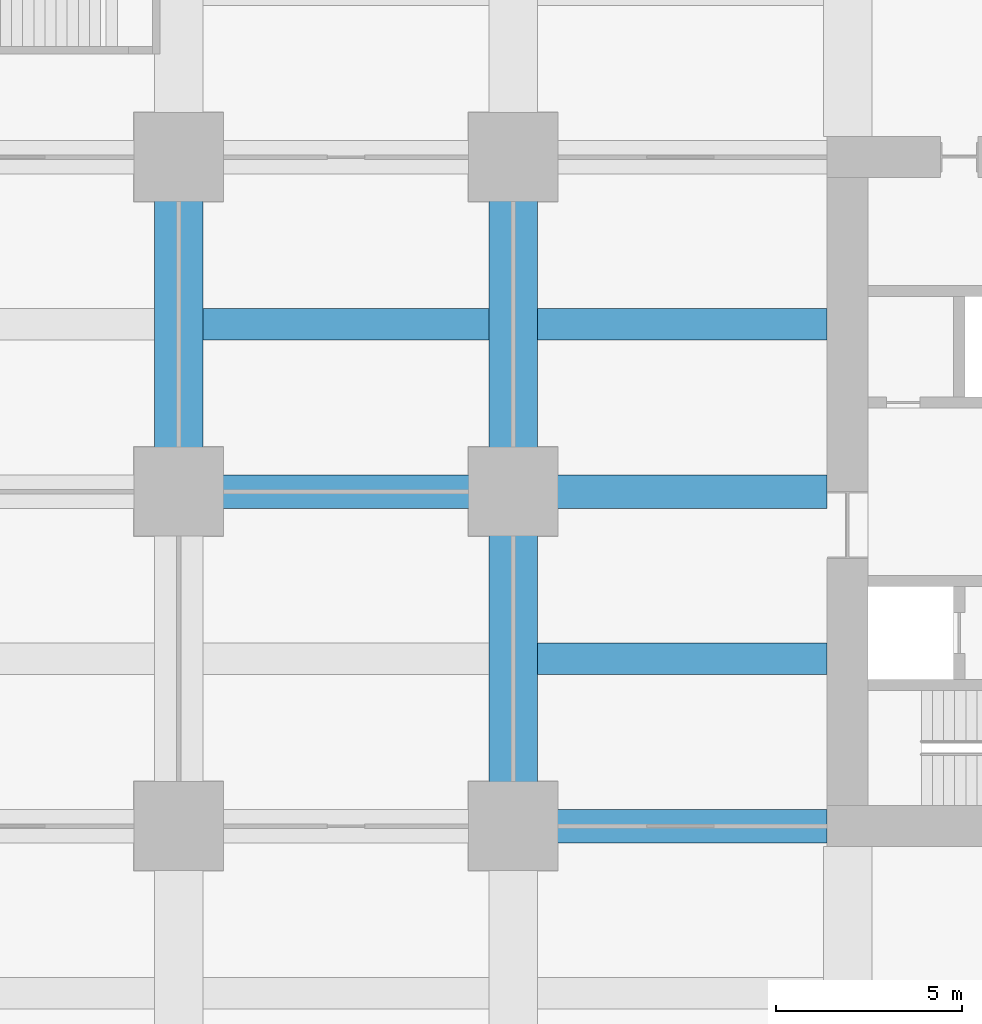
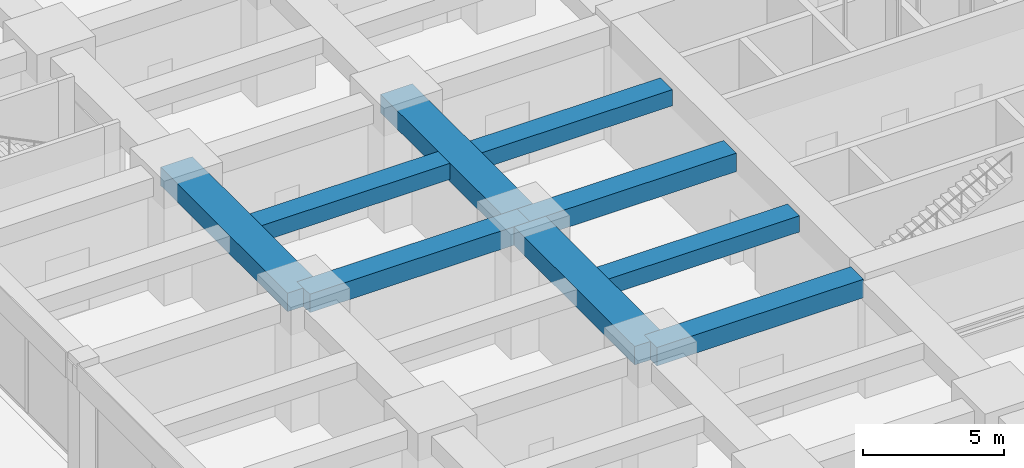
# One storey, part 12 of 56: 9 beams.
"""IFC4 building model written with IfcOpenShell, lengths in metres."""

from ifc_helpers import new_model, si_unit, direction, frame, origin, origin_2d, place, context, subcontext, project, spatial, rectangle, extrude, material, material_profile, profile_set, type_object, element, save


model = new_model("IFC4")

# Units and contexts
model_context = context("Model", 3, precision=1e-05, world=origin(), true_north=direction((0.0, 1.0)))
body_context = subcontext(model_context, "Body", "Model", "MODEL_VIEW")
ifc_project = project(units=[si_unit("LENGTHUNIT", "METRE"), si_unit("AREAUNIT", "SQUARE_METRE"), si_unit("VOLUMEUNIT", "CUBIC_METRE"), si_unit("PLANEANGLEUNIT", "RADIAN"), si_unit("MASSUNIT", "GRAM", prefix="KILO")], contexts=[model_context])

# Site, building, storey
site_placement = place(None, origin())
site = spatial("IfcSite", under=ifc_project, at=site_placement, CompositionType="ELEMENT")
building_placement = place(site_placement, origin())
building = spatial("IfcBuilding", under=site, at=building_placement, Name="Zorevar Civic Tower", CompositionType="ELEMENT")
storey_placement = place(building_placement, origin())
storey = spatial("IfcBuildingStorey", under=building, at=storey_placement, Name="L00", CompositionType="ELEMENT", Elevation=0.0)

# Beams
ifc_material_1 = material(Name="Concrete C50/60", Category="concrete")
ifc_material_profile_1 = material_profile(ifc_material_1, rectangle(XDim=1.300048828125, YDim=0.800048828125, at=origin_2d()), Name="RC 1300x800")
ifc_profile_set_1 = profile_set([ifc_material_profile_1], Name="Concrete C50/60")
beam_type_1 = type_object("IfcBeamType", Name="Beam RC 1300x800", PredefinedType="BEAM", material=ifc_profile_set_1)
for number, where, z_axis, x_axis, name in (
    (1, (0.0, 27.0, 4.699951171875), (0.0, 1.0, 0.0), (-1.0, 0.0, 0.0), "Girder L01"),
    (2, (9.0, 18.0, 4.699951171875), (0.0, 1.0, 0.0), (-1.0, 0.0, 0.0), "Girder L01"),
    (3, (9.0, 27.0, 4.699951171875), (0.0, 1.0, 0.0), (-1.0, 0.0, 0.0), "Girder L01"),
):
    element("IfcBeam", number, at=place(storey_placement, frame(where, z_axis=z_axis, x_axis=x_axis)), inside=storey, type_object=beam_type_1, Name=name, PredefinedType="BEAM", context=body_context, shape_type="SweptSolid", body=[
        extrude(rectangle(XDim=1.300048828125, YDim=0.800048828125, at=origin_2d()), origin(), (0.0, 0.0, 1.0), 9.0),
    ])
ifc_material_2 = material(Name="Concrete C50/60", Category="concrete")
ifc_material_profile_2 = material_profile(ifc_material_2, rectangle(XDim=0.85009765625, YDim=0.699951171875, at=origin_2d()), Name="RC 850x700")
ifc_profile_set_2 = profile_set([ifc_material_profile_2], Name="Concrete C50/60")
beam_type_2 = type_object("IfcBeamType", Name="Beam RC 850x700", PredefinedType="BEAM", material=ifc_profile_set_2)
beam_1_placement = place(storey_placement, frame((9.64990234375, 22.5, 4.75), z_axis=(1.0, 0.0, 0.0), x_axis=(0.0, 1.0, 0.0)))
element("IfcBeam", 4, at=beam_1_placement, inside=storey, type_object=beam_type_2, Name="Secondary beam L01", PredefinedType="BEAM", context=body_context, shape_type="SweptSolid", body=[
    extrude(rectangle(XDim=0.85009765625, YDim=0.699951171875, at=origin_2d()), origin(), (0.0, 0.0, 1.0), 7.800048828125),
])
beam_2_placement = place(storey_placement, frame((0.64990234375, 31.5, 4.75), z_axis=(1.0, 0.0, 0.0), x_axis=(0.0, 1.0, 0.0)))
element("IfcBeam", 5, at=beam_2_placement, inside=storey, type_object=beam_type_2, Name="Secondary beam L01", PredefinedType="BEAM", context=body_context, shape_type="SweptSolid", body=[
    extrude(rectangle(XDim=0.85009765625, YDim=0.699951171875, at=origin_2d()), origin(), (0.0, 0.0, 1.0), 7.7001953125),
])
beam_3_placement = place(storey_placement, frame((9.64990234375, 31.5, 4.75), z_axis=(1.0, 0.0, 0.0), x_axis=(0.0, 1.0, 0.0)))
element("IfcBeam", 6, at=beam_3_placement, inside=storey, type_object=beam_type_2, Name="Secondary beam L01", PredefinedType="BEAM", context=body_context, shape_type="SweptSolid", body=[
    extrude(rectangle(XDim=0.85009765625, YDim=0.699951171875, at=origin_2d()), origin(), (0.0, 0.0, 1.0), 7.800048828125),
])
ifc_material_3 = material(Name="Concrete C50/60", Category="concrete")
ifc_material_profile_3 = material_profile(ifc_material_3, rectangle(XDim=0.89990234375, YDim=0.800048828125, at=origin_2d()), Name="RC 900x800")
ifc_profile_set_3 = profile_set([ifc_material_profile_3], Name="Concrete C50/60")
beam_type_3 = type_object("IfcBeamType", Name="Beam RC 900x800", PredefinedType="BEAM", material=ifc_profile_set_3)
beam_4_placement = place(storey_placement, frame((9.0, 18.0, 4.699951171875), z_axis=(1.0, 0.0, 0.0), x_axis=(0.0, 1.0, 0.0)))
element("IfcBeam", 7, at=beam_4_placement, inside=storey, type_object=beam_type_3, Name="Girder L01", PredefinedType="BEAM", context=body_context, shape_type="SweptSolid", body=[
    extrude(rectangle(XDim=0.89990234375, YDim=0.800048828125, at=origin_2d()), origin(), (0.0, 0.0, 1.0), 8.449951171875),
])
beam_5_placement = place(storey_placement, frame((0.0, 27.0, 4.699951171875), z_axis=(1.0, 0.0, 0.0), x_axis=(0.0, 1.0, 0.0)))
element("IfcBeam", 8, at=beam_5_placement, inside=storey, type_object=beam_type_3, Name="Girder L01", PredefinedType="BEAM", context=body_context, shape_type="SweptSolid", body=[
    extrude(rectangle(XDim=0.89990234375, YDim=0.800048828125, at=origin_2d()), origin(), (0.0, 0.0, 1.0), 9.0),
])
beam_6_placement = place(storey_placement, frame((9.0, 27.0, 4.699951171875), z_axis=(1.0, 0.0, 0.0), x_axis=(0.0, 1.0, 0.0)))
element("IfcBeam", 9, at=beam_6_placement, inside=storey, type_object=beam_type_3, Name="Girder L01", PredefinedType="BEAM", context=body_context, shape_type="SweptSolid", body=[
    extrude(rectangle(XDim=0.89990234375, YDim=0.800048828125, at=origin_2d()), origin(), (0.0, 0.0, 1.0), 8.449951171875),
])

save(model, "model.ifc")
